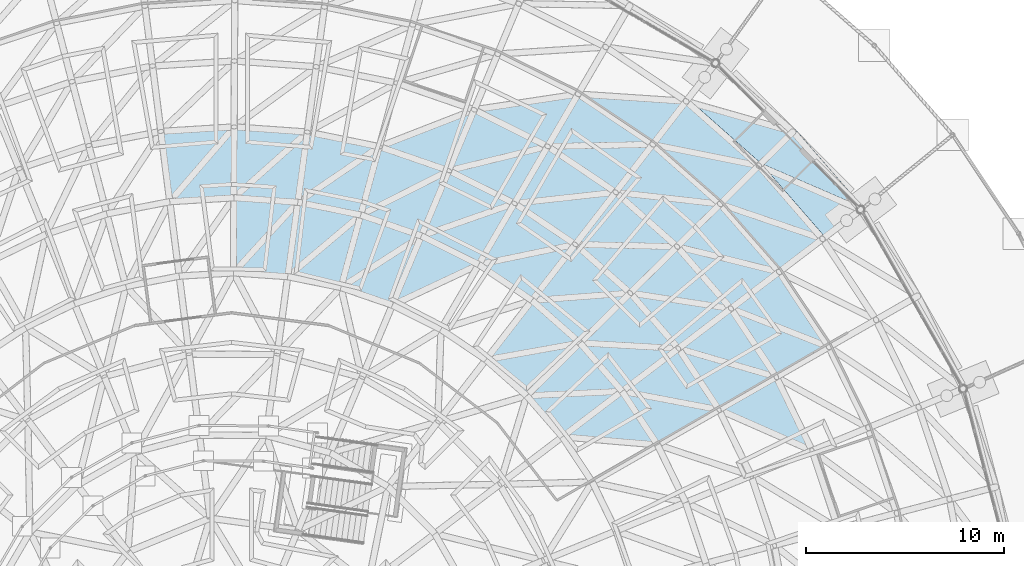
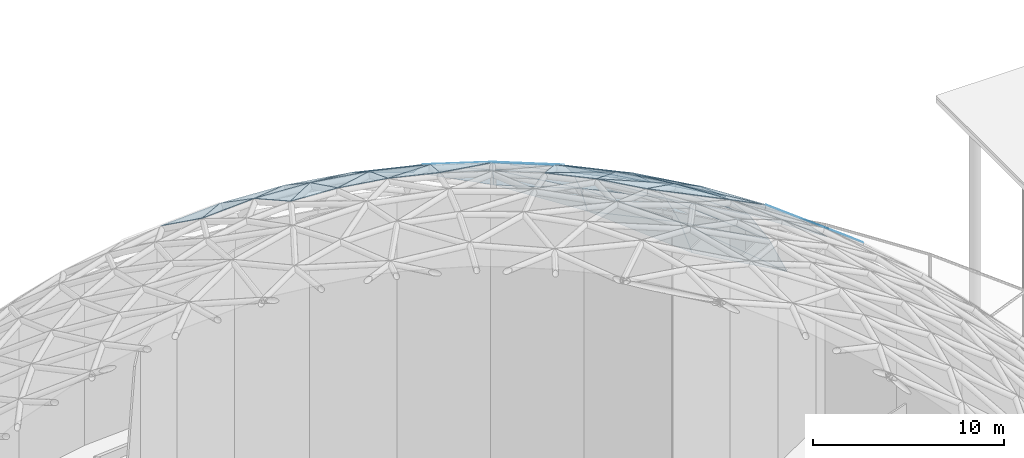
# One storey, part 152 of 226: 59 plates.
"""IFC4 building model written with IfcOpenShell, lengths in metres."""

from ifc_helpers import new_model, si_unit, direction, frame, origin, place, context, subcontext, project, spatial, polyline, outline, extrude, material, layer, layer_set, type_object, element, save


model = new_model("IFC4")

# Units and contexts
model_context = context("Model", 3, precision=1e-05, world=origin(), true_north=direction((0.0, 1.0)))
body_context = subcontext(model_context, "Body", "Model", "MODEL_VIEW")
ifc_project = project(units=[si_unit("LENGTHUNIT", "METRE"), si_unit("AREAUNIT", "SQUARE_METRE"), si_unit("VOLUMEUNIT", "CUBIC_METRE"), si_unit("PLANEANGLEUNIT", "RADIAN"), si_unit("MASSUNIT", "GRAM", prefix="KILO")], contexts=[model_context])

# Site, building, storey
site_placement = place(None, origin())
site = spatial("IfcSite", under=ifc_project, at=site_placement, CompositionType="ELEMENT")
building_placement = place(site_placement, origin())
building = spatial("IfcBuilding", under=site, at=building_placement, Name="Ceibo Conservatory and Research Tower", CompositionType="ELEMENT")
storey_placement = place(building_placement, origin())
storey = spatial("IfcBuildingStorey", under=building, at=storey_placement, Name="L00", CompositionType="ELEMENT", Elevation=0.0)

# Plates
ifc_material = material(Name="Laminated glass", Category="glass")
ifc_layer = layer(ifc_material, 0.035888671875)
ifc_layer_set = layer_set([ifc_layer], Name="Laminated glass")
plate_type = type_object("IfcPlateType", Name="Gridshell roof glass 36", PredefinedType="SHEET", material=ifc_layer_set)
plate_1_placement = place(storey_placement, frame((187.973388671875, 132.3134765625, 4.601806640625), z_axis=(0.626371647012, 0.544575423436, 0.557759955545), x_axis=(-0.656113143191, 0.75466253606, 0.0)))
element("IfcPlate", 1, at=plate_1_placement, inside=storey, type_object=plate_type, Name="Glass panel A-P01-009", PredefinedType="SHEET", context=body_context, shape_type="SweptSolid", body=[
    extrude(outline(polyline([(0.0, 0.0), (5.25444399552769, 2.220446049250313e-16), (5.093855868540828, 4.374811345423591), (0.0, 0.0)])), origin(), (0.0, 0.0, -1.0), 0.035888671875),
])
plate_2_placement = place(storey_placement, frame((187.973388671875, 132.3134765625, 4.601806640625), z_axis=(0.626368621684, 0.544596939449, 0.557742344916), x_axis=(-0.77198428106, 0.334070816427, 0.540774407131)))
element("IfcPlate", 2, at=plate_2_placement, inside=storey, type_object=plate_type, Name="Glass panel A-P01-010", PredefinedType="SHEET", context=body_context, shape_type="SweptSolid", body=[
    extrude(outline(polyline([(0.0, 0.0), (6.7146363950339705, -4.440892098500626e-16), (2.9716125697932965, 3.2145820078568876), (0.0, 0.0)])), origin(), (0.0, 0.0, -1.0), 0.035888671875),
])
plate_3_placement = place(storey_placement, frame((184.52587890625, 136.27880859375, 4.601806640625), z_axis=(0.549990034945, 0.621608240048, 0.557776081745), x_axis=(-0.808957984747, 0.23049193929, 0.540796121321)))
element("IfcPlate", 3, at=plate_3_placement, inside=storey, type_object=plate_type, Name="Glass panel A-P01-012", PredefinedType="SHEET", context=body_context, shape_type="SweptSolid", body=[
    extrude(outline(polyline([(0.0, 0.0), (6.714366787164462, -4.440892098500626e-16), (2.971159863817821, 3.2151161593656585), (0.0, 0.0)])), origin(), (0.0, 0.0, -1.0), 0.035888671875),
])
plate_4_placement = place(storey_placement, frame((186.027099609375, 130.833251953125, 8.23291015625), z_axis=(0.584554362322, 0.508241482158, 0.632445091138), x_axis=(-0.656129711035, 0.754648131448, 0.0)))
element("IfcPlate", 4, at=plate_4_placement, inside=storey, type_object=plate_type, Name="Glass panel A-P02-009", PredefinedType="SHEET", context=body_context, shape_type="SweptSolid", body=[
    extrude(outline(polyline([(0.0, 0.0), (4.933940093024697, 0.0), (4.7529268761876, 4.372817348937347), (0.0, 0.0)])), origin(), (0.0, 0.0, -1.0), 0.035888671875),
])
plate_5_placement = place(storey_placement, frame((186.027099609375, 130.833251953125, 8.23291015625), z_axis=(0.584559010355, 0.508200679396, 0.632473582749), x_axis=(-0.806006025814, 0.274401920148, 0.524459600513)))
element("IfcPlate", 5, at=plate_5_placement, inside=storey, type_object=plate_type, Name="Glass panel A-P02-010", PredefinedType="SHEET", context=body_context, shape_type="SweptSolid", body=[
    extrude(outline(polyline([(0.0, 0.0), (6.458470829658818, 2.220446049250313e-16), (3.094106091212218, 3.095475432306432), (0.0, 0.0)])), origin(), (0.0, 0.0, -1.0), 0.035888671875),
])
plate_6_placement = place(storey_placement, frame((182.789794921875, 134.556640625, 8.23291015625), z_axis=(0.51328925119, 0.580128380143, 0.632443837163), x_axis=(-0.748933286004, 0.662645405262, 0.0)))
element("IfcPlate", 6, at=plate_6_placement, inside=storey, type_object=plate_type, Name="Glass panel A-P02-011", PredefinedType="SHEET", context=body_context, shape_type="SweptSolid", body=[
    extrude(outline(polyline([(0.0, 0.0), (4.934427017314615, 0.0), (4.753419390065305, 4.372811569164403), (0.0, 0.0)])), origin(), (0.0, 0.0, -1.0), 0.035888671875),
])
plate_7_placement = place(storey_placement, frame((182.789794921875, 134.556640625, 8.23291015625), z_axis=(0.513289222372, 0.580128495809, 0.632443754453), x_axis=(-0.834915711577, 0.166998262122, 0.524430486347)))
element("IfcPlate", 7, at=plate_7_placement, inside=storey, type_object=plate_type, Name="Glass panel A-P02-012", PredefinedType="SHEET", context=body_context, shape_type="SweptSolid", body=[
    extrude(outline(polyline([(0.0, 0.0), (6.458829376695661, 4.440892098500626e-16), (3.093844952009283, 3.0955485402047636), (0.0, 0.0)])), origin(), (0.0, 0.0, -1.0), 0.035888671875),
])
plate_8_placement = place(storey_placement, frame((179.09423828125, 137.826416015625, 8.23291015625), z_axis=(0.433201588051, 0.642149374648, 0.632440166932), x_axis=(-0.849552927366, 0.056588979811, 0.524459255775)))
element("IfcPlate", 8, at=plate_8_placement, inside=storey, type_object=plate_type, Name="Glass panel A-P02-014", PredefinedType="SHEET", context=body_context, shape_type="SweptSolid", body=[
    extrude(outline(polyline([(0.0, 0.0), (6.458475074955934, 0.0), (3.094166020248231, 3.095219123047945), (0.0, 0.0)])), origin(), (0.0, 0.0, -1.0), 0.035888671875),
])
plate_9_placement = place(storey_placement, frame((186.344482421875, 125.34326171875, 11.6201171875), z_axis=(0.594027021184, 0.393228083192, 0.701785987814), x_axis=(-0.551985960357, 0.833853404123, 0.0)))
element("IfcPlate", 9, at=plate_9_placement, inside=storey, type_object=plate_type, Name="Glass panel A-P03-007", PredefinedType="SHEET", context=body_context, shape_type="SweptSolid", body=[
    extrude(outline(polyline([(0.0, 0.0), (4.571561020077669, 2.220446049250313e-16), (4.37128869689279, 4.372604474401962), (0.0, 0.0)])), origin(), (0.0, 0.0, -1.0), 0.035888671875),
])
plate_10_placement = place(storey_placement, frame((186.344482421875, 125.34326171875, 11.6201171875), z_axis=(0.594024605118, 0.393138862149, 0.701838018052), x_axis=(-0.804105977108, 0.315577242636, 0.503810064915)))
element("IfcPlate", 10, at=plate_10_placement, inside=storey, type_object=plate_type, Name="Glass panel A-P03-008", PredefinedType="SHEET", context=body_context, shape_type="SweptSolid", body=[
    extrude(outline(polyline([(0.0, 0.0), (6.182866225396012, -2.220446049250313e-16), (3.234773136941577, 2.949405067949826), (0.0, 0.0)])), origin(), (0.0, 0.0, -1.0), 0.035888671875),
])
plate_11_placement = place(storey_placement, frame((183.821044921875, 129.1552734375, 11.6201171875), z_axis=(0.537681449836, 0.467446525098, 0.701706779699), x_axis=(-0.656096739875, 0.754676796997, 0.0)))
element("IfcPlate", 11, at=plate_11_placement, inside=storey, type_object=plate_type, Name="Glass panel A-P03-009", PredefinedType="SHEET", context=body_context, shape_type="SweptSolid", body=[
    extrude(outline(polyline([(0.0, 0.0), (4.571752207339714, -2.220446049250313e-16), (4.371737798924635, 4.3721256395802985), (0.0, 0.0)])), origin(), (0.0, 0.0, -1.0), 0.035888671875),
])
plate_12_placement = place(storey_placement, frame((183.821044921875, 129.1552734375, 11.6201171875), z_axis=(0.537693821888, 0.467327715494, 0.701776431804), x_axis=(-0.83838324185, 0.208055826173, 0.503811783288)))
element("IfcPlate", 12, at=plate_12_placement, inside=storey, type_object=plate_type, Name="Glass panel A-P03-010", PredefinedType="SHEET", context=body_context, shape_type="SweptSolid", body=[
    extrude(outline(polyline([(0.0, 0.0), (6.182845137218127, -2.220446049250313e-16), (3.2347754358287153, 2.948899247643614), (0.0, 0.0)])), origin(), (0.0, 0.0, -1.0), 0.035888671875),
])
plate_13_placement = place(storey_placement, frame((180.821533203125, 132.60546875, 11.6201171875), z_axis=(0.472126503755, 0.533605668145, 0.701684797737), x_axis=(-0.748933370034, 0.66264531029, 0.0)))
element("IfcPlate", 13, at=plate_13_placement, inside=storey, type_object=plate_type, Name="Glass panel A-P03-011", PredefinedType="SHEET", context=body_context, shape_type="SweptSolid", body=[
    extrude(outline(polyline([(0.0, 0.0), (4.57225775117127, 2.220446049250313e-16), (4.370635782508655, 4.371992790043444), (0.0, 0.0)])), origin(), (0.0, 0.0, -1.0), 0.035888671875),
])
plate_14_placement = place(storey_placement, frame((180.821533203125, 132.60546875, 11.6201171875), z_axis=(0.472129738311, 0.533592142601, 0.701692906874), x_axis=(-0.858326812798, 0.096835250988, 0.50388293938)))
element("IfcPlate", 14, at=plate_14_placement, inside=storey, type_object=plate_type, Name="Glass panel A-P03-012", PredefinedType="SHEET", context=body_context, shape_type="SweptSolid", body=[
    extrude(outline(polyline([(0.0, 0.0), (6.1819720235161935, -6.661338147750939e-16), (3.2347127102858355, 2.9482405013438653), (0.0, 0.0)])), origin(), (0.0, 0.0, -1.0), 0.035888671875),
])
plate_15_placement = place(storey_placement, frame((177.397216796875, 135.63525390625, 11.6201171875), z_axis=(0.398417911244, 0.590588353346, 0.701761045436), x_axis=(-0.828997851554, 0.559251787765, 0.0)))
element("IfcPlate", 15, at=plate_15_placement, inside=storey, type_object=plate_type, Name="Glass panel A-P03-013", PredefinedType="SHEET", context=body_context, shape_type="SweptSolid", body=[
    extrude(outline(polyline([(0.0, 0.0), (4.571537688269663, 2.220446049250313e-16), (4.370744027312472, 4.372453668072071), (0.0, 0.0)])), origin(), (0.0, 0.0, -1.0), 0.035888671875),
])
plate_16_placement = place(storey_placement, frame((177.397216796875, 135.63525390625, 11.6201171875), z_axis=(0.398374823994, 0.590700895969, 0.701690780265), x_axis=(-0.863641545915, -0.016072341527, 0.503850136457)))
element("IfcPlate", 16, at=plate_16_placement, inside=storey, type_object=plate_type, Name="Glass panel A-P03-014", PredefinedType="SHEET", context=body_context, shape_type="SweptSolid", body=[
    extrude(outline(polyline([(0.0, 0.0), (6.182374497854732, 4.440892098500626e-16), (3.2337942636454544, 2.949160394901064), (0.0, 0.0)])), origin(), (0.0, 0.0, -1.0), 0.035888671875),
])
plate_17_placement = place(storey_placement, frame((173.607421875, 138.19189453125, 11.6201171875), z_axis=(0.317770540175, 0.637627010113, 0.701750439808), x_axis=(-0.85415137095, -0.128807811568, 0.503819395402)))
element("IfcPlate", 17, at=plate_17_placement, inside=storey, type_object=plate_type, Name="Glass panel A-P03-016", PredefinedType="SHEET", context=body_context, shape_type="SweptSolid", body=[
    extrude(outline(polyline([(0.0, 0.0), (6.182751721750283, -2.220446049250313e-16), (3.235066064309141, 2.948392228532843), (0.0, 0.0)])), origin(), (0.0, 0.0, -1.0), 0.035888671875),
])
plate_18_placement = place(storey_placement, frame((185.501953125, 120.0693359375, 14.735107421875), z_axis=(0.578859237962, 0.282302296768, 0.765001565923), x_axis=(-0.438338260482, 0.898810085278, 0.0)))
element("IfcPlate", 18, at=plate_18_placement, inside=storey, type_object=plate_type, Name="Glass panel A-P04-005", PredefinedType="SHEET", context=body_context, shape_type="SweptSolid", body=[
    extrude(outline(polyline([(0.0, 0.0), (4.169466559322997, 0.0), (3.95052041042427, 4.371971400995099), (0.0, 0.0)])), origin(), (0.0, 0.0, -1.0), 0.035888671875),
])
plate_19_placement = place(storey_placement, frame((183.67431640625, 123.81689453125, 14.735107421875), z_axis=(0.537006397642, 0.355402928291, 0.765057440624), x_axis=(-0.551900429961, 0.833910016374, 0.0)))
element("IfcPlate", 19, at=plate_19_placement, inside=storey, type_object=plate_type, Name="Glass panel A-P04-007", PredefinedType="SHEET", context=body_context, shape_type="SweptSolid", body=[
    extrude(outline(polyline([(0.0, 0.0), (4.170161041619487, 0.0), (3.9502943016100325, 4.37242203896505), (0.0, 0.0)])), origin(), (0.0, 0.0, -1.0), 0.035888671875),
])
plate_20_placement = place(storey_placement, frame((183.67431640625, 123.81689453125, 14.735107421875), z_axis=(0.53700902409, 0.355533521207, 0.764994917202), x_axis=(-0.843382338736, 0.245731020389, 0.47783103324)))
element("IfcPlate", 20, at=plate_20_placement, inside=storey, type_object=plate_type, Name="Glass panel A-P04-008", PredefinedType="SHEET", context=body_context, shape_type="SweptSolid", body=[
    extrude(outline(polyline([(0.0, 0.0), (5.892613983298073, 0.0), (3.3911789072796203, 2.768027631014263), (0.0, 0.0)])), origin(), (0.0, 0.0, -1.0), 0.035888671875),
])
plate_21_placement = place(storey_placement, frame((181.372802734375, 127.29443359375, 14.735107421875), z_axis=(0.486112916416, 0.422497022382, 0.764977449715), x_axis=(-0.655993150499, 0.754766842474, 0.0)))
element("IfcPlate", 21, at=plate_21_placement, inside=storey, type_object=plate_type, Name="Glass panel A-P04-009", PredefinedType="SHEET", context=body_context, shape_type="SweptSolid", body=[
    extrude(outline(polyline([(0.0, 0.0), (4.169786773565685, -4.440892098500626e-16), (3.9498270400957947, 4.371776953306844), (0.0, 0.0)])), origin(), (0.0, 0.0, -1.0), 0.035888671875),
])
plate_22_placement = place(storey_placement, frame((181.372802734375, 127.29443359375, 14.735107421875), z_axis=(0.486134532114, 0.422302514767, 0.765071109576), x_axis=(-0.868192268699, 0.133634978358, 0.477895257489)))
element("IfcPlate", 22, at=plate_22_placement, inside=storey, type_object=plate_type, Name="Glass panel A-P04-010", PredefinedType="SHEET", context=body_context, shape_type="SweptSolid", body=[
    extrude(outline(polyline([(0.0, 0.0), (5.891822076076023, 0.0), (3.390901302280932, 2.769152258070897), (0.0, 0.0)])), origin(), (0.0, 0.0, -1.0), 0.035888671875),
])
plate_23_placement = place(storey_placement, frame((178.637451171875, 130.441650390625, 14.735107421875), z_axis=(0.42674863538, 0.482303274348, 0.765028858119), x_axis=(-0.748922781162, 0.662657277827, 0.0)))
element("IfcPlate", 23, at=plate_23_placement, inside=storey, type_object=plate_type, Name="Glass panel A-P04-011", PredefinedType="SHEET", context=body_context, shape_type="SweptSolid", body=[
    extrude(outline(polyline([(0.0, 0.0), (4.168747955104435, -2.220446049250313e-16), (3.949765794562444, 4.372191495188925), (0.0, 0.0)])), origin(), (0.0, 0.0, -1.0), 0.035888671875),
])
plate_24_placement = place(storey_placement, frame((178.637451171875, 130.441650390625, 14.735107421875), z_axis=(0.426726001713, 0.4823950762, 0.764983601079), x_axis=(-0.878221778533, 0.019060250914, 0.47787363868)))
element("IfcPlate", 24, at=plate_24_placement, inside=storey, type_object=plate_type, Name="Glass panel A-P04-012", PredefinedType="SHEET", context=body_context, shape_type="SweptSolid", body=[
    extrude(outline(polyline([(0.0, 0.0), (5.892088619708453, 0.0), (3.3906216276125063, 2.7684835184951595), (0.0, 0.0)])), origin(), (0.0, 0.0, -1.0), 0.035888671875),
])
plate_25_placement = place(storey_placement, frame((175.515380859375, 133.2041015625, 14.735107421875), z_axis=(0.360071574488, 0.533905731117, 0.765044529113), x_axis=(-0.829075284435, 0.559136989242, 0.0)))
element("IfcPlate", 25, at=plate_25_placement, inside=storey, type_object=plate_type, Name="Glass panel A-P04-013", PredefinedType="SHEET", context=body_context, shape_type="SweptSolid", body=[
    extrude(outline(polyline([(0.0, 0.0), (4.1703324127007715, 2.220446049250313e-16), (3.950406732332311, 4.372317890358894), (0.0, 0.0)])), origin(), (0.0, 0.0, -1.0), 0.035888671875),
])
plate_26_placement = place(storey_placement, frame((175.515380859375, 133.2041015625, 14.735107421875), z_axis=(0.360054480753, 0.533949457645, 0.765022056917), x_axis=(-0.873213397661, -0.095789968466, 0.477831187855)))
element("IfcPlate", 26, at=plate_26_placement, inside=storey, type_object=plate_type, Name="Glass panel A-P04-014", PredefinedType="SHEET", context=body_context, shape_type="SweptSolid", body=[
    extrude(outline(polyline([(0.0, 0.0), (5.892612076592934, 0.0), (3.39153618929774, 2.7679403775951843), (0.0, 0.0)])), origin(), (0.0, 0.0, -1.0), 0.035888671875),
])
plate_27_placement = place(storey_placement, frame((172.057861328125, 135.535888671875, 14.735107421875), z_axis=(0.287285678344, 0.576457175766, 0.764960171203), x_axis=(-0.895012011774, 0.446042037011, 0.0)))
element("IfcPlate", 27, at=plate_27_placement, inside=storey, type_object=plate_type, Name="Glass panel A-P04-015", PredefinedType="SHEET", context=body_context, shape_type="SweptSolid", body=[
    extrude(outline(polyline([(0.0, 0.0), (4.169156685512921, 2.220446049250313e-16), (3.949928547307043, 4.371637657318493), (0.0, 0.0)])), origin(), (0.0, 0.0, -1.0), 0.035888671875),
])
plate_28_placement = place(storey_placement, frame((172.057861328125, 135.535888671875, 14.735107421875), z_axis=(0.287382364975, 0.576281704311, 0.765056059107), x_axis=(-0.853197114139, -0.208969064915, 0.47789812129)))
element("IfcPlate", 28, at=plate_28_placement, inside=storey, type_object=plate_type, Name="Glass panel A-P04-016", PredefinedType="SHEET", context=body_context, shape_type="SweptSolid", body=[
    extrude(outline(polyline([(0.0, 0.0), (5.891786769369395, -2.220446049250313e-16), (3.391016576437981, 2.7688513173445806), (0.0, 0.0)])), origin(), (0.0, 0.0, -1.0), 0.035888671875),
])
plate_29_placement = place(storey_placement, frame((168.326416015625, 137.3955078125, 14.735107421875), z_axis=(0.209692846517, 0.608981395128, 0.764964424342), x_axis=(-0.818729426979, -0.318334928516, 0.477854579015)))
element("IfcPlate", 29, at=plate_29_placement, inside=storey, type_object=plate_type, Name="Glass panel A-P04-018", PredefinedType="SHEET", context=body_context, shape_type="SweptSolid", body=[
    extrude(outline(polyline([(0.0, 0.0), (5.8923236310230545, 2.220446049250313e-16), (3.3899891099477335, 2.768980068166276), (0.0, 0.0)])), origin(), (0.0, 0.0, -1.0), 0.035888671875),
])
plate_30_placement = place(storey_placement, frame((180.76416015625, 122.154052734375, 17.55078125), z_axis=(0.475431162422, 0.314765129979, 0.821515747108), x_axis=(-0.552039554655, 0.833817923828, 0.0)))
element("IfcPlate", 30, at=plate_30_placement, inside=storey, type_object=plate_type, Name="Glass panel A-P05-007", PredefinedType="SHEET", context=body_context, shape_type="SweptSolid", body=[
    extrude(outline(polyline([(0.0, 0.0), (3.730838297969221, 0.0), (3.4965291059106676, 4.369549294933934), (0.0, 0.0)])), origin(), (0.0, 0.0, -1.0), 0.035888671875),
])
plate_31_placement = place(storey_placement, frame((180.76416015625, 122.154052734375, 17.55078125), z_axis=(0.475431717378, 0.31459254418, 0.821581531716), x_axis=(-0.879747643429, 0.16686674284, 0.445196107368)))
element("IfcPlate", 31, at=plate_31_placement, inside=storey, type_object=plate_type, Name="Glass panel A-P05-008", PredefinedType="SHEET", context=body_context, shape_type="SweptSolid", body=[
    extrude(outline(polyline([(0.0, 0.0), (5.596309214950338, -2.220446049250313e-16), (3.55961441177119, 2.5463052917352464), (0.0, 0.0)])), origin(), (0.0, 0.0, -1.0), 0.035888671875),
])
plate_32_placement = place(storey_placement, frame((178.70458984375, 125.264892578125, 17.55078125), z_axis=(0.430345497289, 0.37383887323, 0.821612591083), x_axis=(-0.655804436885, 0.754930818395, 0.0)))
element("IfcPlate", 32, at=plate_32_placement, inside=storey, type_object=plate_type, Name="Glass panel A-P05-009", PredefinedType="SHEET", context=body_context, shape_type="SweptSolid", body=[
    extrude(outline(polyline([(0.0, 0.0), (3.731328040413893, 0.0), (3.4945821449068966, 4.370619032784091), (0.0, 0.0)])), origin(), (0.0, 0.0, -1.0), 0.035888671875),
])
plate_33_placement = place(storey_placement, frame((178.70458984375, 125.264892578125, 17.55078125), z_axis=(0.430308562674, 0.374112664244, 0.821507306931), x_axis=(-0.893986690713, 0.050608782452, 0.445226400797)))
element("IfcPlate", 33, at=plate_33_placement, inside=storey, type_object=plate_type, Name="Glass panel A-P05-010", PredefinedType="SHEET", context=body_context, shape_type="SweptSolid", body=[
    extrude(outline(polyline([(0.0, 0.0), (5.595928439252654, 0.0), (3.559258005144204, 2.54549490102763), (0.0, 0.0)])), origin(), (0.0, 0.0, -1.0), 0.035888671875),
])
plate_34_placement = place(storey_placement, frame((176.257568359375, 128.081787109375, 17.55078125), z_axis=(0.377667953538, 0.426937098968, 0.821639598848), x_axis=(-0.749002807027, 0.662566823094, 0.0)))
element("IfcPlate", 34, at=plate_34_placement, inside=storey, type_object=plate_type, Name="Glass panel A-P05-011", PredefinedType="SHEET", context=body_context, shape_type="SweptSolid", body=[
    extrude(outline(polyline([(0.0, 0.0), (3.7311979449936565, 2.220446049250313e-16), (3.496059137238818, 4.370917523003129), (0.0, 0.0)])), origin(), (0.0, 0.0, -1.0), 0.035888671875),
])
plate_35_placement = place(storey_placement, frame((176.257568359375, 128.081787109375, 17.55078125), z_axis=(0.37765267275, 0.426993370049, 0.821617380962), x_axis=(-0.89297335194, -0.066737457428, 0.44513447912)))
element("IfcPlate", 35, at=plate_35_placement, inside=storey, type_object=plate_type, Name="Glass panel A-P05-012", PredefinedType="SHEET", context=body_context, shape_type="SweptSolid", body=[
    extrude(outline(polyline([(0.0, 0.0), (5.597084016161167, -2.220446049250313e-16), (3.5602645851353354, 2.5461491379345937), (0.0, 0.0)])), origin(), (0.0, 0.0, -1.0), 0.035888671875),
])
plate_36_placement = place(storey_placement, frame((173.462890625, 130.553955078125, 17.55078125), z_axis=(0.318754400995, 0.472702739811, 0.821552038292), x_axis=(-0.829108814553, 0.55908726835, 0.0)))
element("IfcPlate", 36, at=plate_36_placement, inside=storey, type_object=plate_type, Name="Glass panel A-P05-013", PredefinedType="SHEET", context=body_context, shape_type="SweptSolid", body=[
    extrude(outline(polyline([(0.0, 0.0), (3.7305327404984956, 0.0), (3.4956994673408075, 4.369950060293001), (0.0, 0.0)])), origin(), (0.0, 0.0, -1.0), 0.035888671875),
])
plate_37_placement = place(storey_placement, frame((173.462890625, 130.553955078125, 17.55078125), z_axis=(0.318845757751, 0.472484247796, 0.821642269086), x_axis=(-0.876595165131, -0.182665801842, 0.445212445138)))
element("IfcPlate", 37, at=plate_37_placement, inside=storey, type_object=plate_type, Name="Glass panel A-P05-014", PredefinedType="SHEET", context=body_context, shape_type="SweptSolid", body=[
    extrude(outline(polyline([(0.0, 0.0), (5.596103849592286, -2.220446049250313e-16), (3.560502186087077, 2.5461803617727696), (0.0, 0.0)])), origin(), (0.0, 0.0, -1.0), 0.035888671875),
])
plate_38_placement = place(storey_placement, frame((170.369873046875, 132.6396484375, 17.55078125), z_axis=(0.254426703486, 0.510196421829, 0.821563548185), x_axis=(-0.894897831278, 0.446271074095, 0.0)))
element("IfcPlate", 38, at=plate_38_placement, inside=storey, type_object=plate_type, Name="Glass panel A-P05-015", PredefinedType="SHEET", context=body_context, shape_type="SweptSolid", body=[
    extrude(outline(polyline([(0.0, 0.0), (3.731003775851083, 0.0), (3.4958935803363858, 4.370077191346767), (0.0, 0.0)])), origin(), (0.0, 0.0, -1.0), 0.035888671875),
])
plate_39_placement = place(storey_placement, frame((170.369873046875, 132.6396484375, 17.55078125), z_axis=(0.254409059279, 0.510226759322, 0.821550171705), x_axis=(-0.845324996927, -0.295342428095, 0.445194900843)))
element("IfcPlate", 39, at=plate_39_placement, inside=storey, type_object=plate_type, Name="Glass panel A-P05-016", PredefinedType="SHEET", context=body_context, shape_type="SweptSolid", body=[
    extrude(outline(polyline([(0.0, 0.0), (5.596324381535295, 2.220446049250313e-16), (3.5592323852402186, 2.5462668798643193), (0.0, 0.0)])), origin(), (0.0, 0.0, -1.0), 0.035888671875),
])
plate_40_placement = place(storey_placement, frame((167.031005859375, 134.3046875, 17.55078125), z_axis=(0.185617252965, 0.539062040255, 0.821558489797), x_axis=(-0.945516789893, 0.32557334048, 0.0)))
element("IfcPlate", 40, at=plate_40_placement, inside=storey, type_object=plate_type, Name="Glass panel A-P05-017", PredefinedType="SHEET", context=body_context, shape_type="SweptSolid", body=[
    extrude(outline(polyline([(0.0, 0.0), (3.7321479972352876, 0.0), (3.4962116485441794, 4.370021317980223), (0.0, 0.0)])), origin(), (0.0, 0.0, -1.0), 0.035888671875),
])
plate_41_placement = place(storey_placement, frame((167.031005859375, 134.3046875, 17.55078125), z_axis=(0.185620139564, 0.53905830319, 0.821560289662), x_axis=(-0.799540035238, -0.403172686909, 0.445182565452)))
element("IfcPlate", 41, at=plate_41_placement, inside=storey, type_object=plate_type, Name="Glass panel A-P05-018", PredefinedType="SHEET", context=body_context, shape_type="SweptSolid", body=[
    extrude(outline(polyline([(0.0, 0.0), (5.596479447922382, 0.0), (3.5596637295951297, 2.5459076170531194), (0.0, 0.0)])), origin(), (0.0, 0.0, -1.0), 0.035888671875),
])
plate_42_placement = place(storey_placement, frame((163.502197265625, 135.519775390625, 17.55078125), z_axis=(0.113687751386, 0.55859178634, 0.821614454241), x_axis=(-0.979910661616, 0.199436945553, 0.0)))
element("IfcPlate", 42, at=plate_42_placement, inside=storey, type_object=plate_type, Name="Glass panel A-P05-019", PredefinedType="SHEET", context=body_context, shape_type="SweptSolid", body=[
    extrude(outline(polyline([(0.0, 0.0), (3.7312074898449956, 0.0), (3.4951544007870523, 4.370639622162836), (0.0, 0.0)])), origin(), (0.0, 0.0, -1.0), 0.035888671875),
])
plate_43_placement = place(storey_placement, frame((163.502197265625, 135.519775390625, 17.55078125), z_axis=(0.113590330853, 0.558688557011, 0.821562129727), x_axis=(-0.739973173866, -0.504221786555, 0.445196689029)))
element("IfcPlate", 43, at=plate_43_placement, inside=storey, type_object=plate_type, Name="Glass panel A-P05-020", PredefinedType="SHEET", context=body_context, shape_type="SweptSolid", body=[
    extrude(outline(polyline([(0.0, 0.0), (5.5963019032358154, 3.3306690738754696e-16), (3.5594281909466803, 2.5462174364592935), (0.0, 0.0)])), origin(), (0.0, 0.0, -1.0), 0.035888671875),
])
plate_44_placement = place(storey_placement, frame((159.845947265625, 136.263916015625, 17.55078125), z_axis=(0.039736306403, 0.568732881221, 0.821561887974), x_axis=(-0.997568121673, 0.069698225387, 0.0)))
element("IfcPlate", 44, at=plate_44_placement, inside=storey, type_object=plate_type, Name="Glass panel A-P05-021", PredefinedType="SHEET", context=body_context, shape_type="SweptSolid", body=[
    extrude(outline(polyline([(0.0, 0.0), (3.730507687670031, 0.0), (3.4958145110330494, 4.370058852904279), (0.0, 0.0)])), origin(), (0.0, 0.0, -1.0), 0.035888671875),
])
plate_45_placement = place(storey_placement, frame((159.845947265625, 136.263916015625, 17.55078125), z_axis=(0.03986382489, 0.568635694864, 0.821622980443), x_axis=(-0.667865392502, -0.596450169592, 0.445199969331)))
element("IfcPlate", 45, at=plate_45_placement, inside=storey, type_object=plate_type, Name="Glass panel A-P05-022", PredefinedType="SHEET", context=body_context, shape_type="SweptSolid", body=[
    extrude(outline(polyline([(0.0, 0.0), (5.596260668821307, -2.220446049250313e-16), (3.559911507223866, 2.546613796477314), (0.0, 0.0)])), origin(), (0.0, 0.0, -1.0), 0.035888671875),
])
plate_46_placement = place(storey_placement, frame((156.12451171875, 136.52392578125, 17.55078125), z_axis=(-0.034840782838, 0.569090988201, 0.821536102067), x_axis=(-0.998131196447, -0.061107402824, 0.0)))
element("IfcPlate", 46, at=plate_46_placement, inside=storey, type_object=plate_type, Name="Glass panel A-P05-023", PredefinedType="SHEET", context=body_context, shape_type="SweptSolid", body=[
    extrude(outline(polyline([(0.0, 0.0), (3.7315829705147348, 0.0), (3.4964130459758476, 4.3697740600050805), (0.0, 0.0)])), origin(), (0.0, 0.0, -1.0), 0.035888671875),
])
plate_47_placement = place(storey_placement, frame((156.12451171875, 136.52392578125, 17.55078125), z_axis=(-0.034792700538, 0.569063433344, 0.821557226747), x_axis=(-0.584393660623, -0.678448059869, 0.4451879148)))
element("IfcPlate", 47, at=plate_47_placement, inside=storey, type_object=plate_type, Name="Glass panel A-P05-024", PredefinedType="SHEET", context=body_context, shape_type="SweptSolid", body=[
    extrude(outline(polyline([(0.0, 0.0), (5.596412201005515, 5.551115123125783e-16), (3.5595707300836565, 2.5459676907884607), (0.0, 0.0)])), origin(), (0.0, 0.0, -1.0), 0.035888671875),
])
plate_48_placement = place(storey_placement, frame((177.64013671875, 120.36865234375, 20.042236328125), z_axis=(0.409429911363, 0.270919235657, 0.871188794368), x_axis=(-0.551828612564, 0.833957542298, 0.0)))
element("IfcPlate", 48, at=plate_48_placement, inside=storey, type_object=plate_type, Name="Glass panel A-P06-007", PredefinedType="SHEET", context=body_context, shape_type="SweptSolid", body=[
    extrude(outline(polyline([(0.0, 0.0), (3.2606435499784197, 0.0), (3.009574685567654, 4.370628465448766), (0.0, 0.0)])), origin(), (0.0, 0.0, -1.0), 0.035888671875),
])
plate_49_placement = place(storey_placement, frame((175.8408203125, 123.087890625, 20.042236328125), z_axis=(0.370543056866, 0.322152200179, 0.871157737111), x_axis=(-0.656110110194, 0.754665172974, 0.0)))
element("IfcPlate", 49, at=plate_49_placement, inside=storey, type_object=plate_type, Name="Glass panel A-P06-009", PredefinedType="SHEET", context=body_context, shape_type="SweptSolid", body=[
    extrude(outline(polyline([(0.0, 0.0), (3.2599955135443306, 2.220446049250313e-16), (3.010650730798408, 4.370137933662338), (0.0, 0.0)])), origin(), (0.0, 0.0, -1.0), 0.035888671875),
])
plate_50_placement = place(storey_placement, frame((175.8408203125, 123.087890625, 20.042236328125), z_axis=(0.370568701303, 0.322007233127, 0.871200424374), x_axis=(-0.913618172511, -0.042554852187, 0.404340103641)))
element("IfcPlate", 50, at=plate_50_placement, inside=storey, type_object=plate_type, Name="Glass panel A-P06-010", PredefinedType="SHEET", context=body_context, shape_type="SweptSolid", body=[
    extrude(outline(polyline([(0.0, 0.0), (5.306799730731464, 0.0), (3.7404738134429705, 2.274705345449151), (0.0, 0.0)])), origin(), (0.0, 0.0, -1.0), 0.035888671875),
])
plate_51_placement = place(storey_placement, frame((173.701904296875, 125.548095703125, 20.042236328125), z_axis=(0.325295062762, 0.367795186242, 0.871154305), x_axis=(-0.749059442524, 0.662502793628, 0.0)))
element("IfcPlate", 51, at=plate_51_placement, inside=storey, type_object=plate_type, Name="Glass panel A-P06-011", PredefinedType="SHEET", context=body_context, shape_type="SweptSolid", body=[
    extrude(outline(polyline([(0.0, 0.0), (3.2605994582606237, 4.440892098500626e-16), (3.0116656615227546, 4.370083736621913), (0.0, 0.0)])), origin(), (0.0, 0.0, -1.0), 0.035888671875),
])
plate_52_placement = place(storey_placement, frame((173.701904296875, 125.548095703125, 20.042236328125), z_axis=(0.325296058454, 0.367792034064, 0.871155264022), x_axis=(-0.90027854069, -0.161370247854, 0.404299631809)))
element("IfcPlate", 52, at=plate_52_placement, inside=storey, type_object=plate_type, Name="Glass panel A-P06-012", PredefinedType="SHEET", context=body_context, shape_type="SweptSolid", body=[
    extrude(outline(polyline([(0.0, 0.0), (5.307330960273972, 2.220446049250313e-16), (3.740252972516818, 2.273936252733628), (0.0, 0.0)])), origin(), (0.0, 0.0, -1.0), 0.035888671875),
])
plate_53_placement = place(storey_placement, frame((168.557373046875, 129.53173828125, 20.042236328125), z_axis=(0.219080061471, 0.439373150127, 0.871180326691), x_axis=(-0.894920786827, 0.44622503886, 0.0)))
element("IfcPlate", 53, at=plate_53_placement, inside=storey, type_object=plate_type, Name="Glass panel A-P06-015", PredefinedType="SHEET", context=body_context, shape_type="SweptSolid", body=[
    extrude(outline(polyline([(0.0, 0.0), (3.2608616690781957, 0.0), (3.011763968177683, 4.3704947051715415), (0.0, 0.0)])), origin(), (0.0, 0.0, -1.0), 0.035888671875),
])
plate_54_placement = place(storey_placement, frame((165.63916015625, 130.98681640625, 20.042236328125), z_axis=(0.159839575411, 0.46418912574, 0.871194447685), x_axis=(-0.94551453646, 0.325579884733, 0.0)))
element("IfcPlate", 54, at=plate_54_placement, inside=storey, type_object=plate_type, Name="Glass panel A-P06-017", PredefinedType="SHEET", context=body_context, shape_type="SweptSolid", body=[
    extrude(outline(polyline([(0.0, 0.0), (3.260408542651373, 0.0), (3.011258690738724, 4.370717776040065), (0.0, 0.0)])), origin(), (0.0, 0.0, -1.0), 0.035888671875),
])
plate_55_placement = place(storey_placement, frame((165.63916015625, 130.98681640625, 20.042236328125), z_axis=(0.159796843866, 0.464240002256, 0.871175176986), x_axis=(-0.770008481152, -0.493605795176, 0.404277451663)))
element("IfcPlate", 55, at=plate_55_placement, inside=storey, type_object=plate_type, Name="Glass panel A-P06-018", PredefinedType="SHEET", context=body_context, shape_type="SweptSolid", body=[
    extrude(outline(polyline([(0.0, 0.0), (5.307622139936312, -2.220446049250313e-16), (3.740847783150219, 2.2736163915283716), (0.0, 0.0)])), origin(), (0.0, 0.0, -1.0), 0.035888671875),
])
plate_56_placement = place(storey_placement, frame((162.556396484375, 132.04833984375, 20.042236328125), z_axis=(0.097821055585, 0.481128138103, 0.871175502301), x_axis=(-0.97995078776, 0.19923968874, 0.0)))
element("IfcPlate", 56, at=plate_56_placement, inside=storey, type_object=plate_type, Name="Glass panel A-P06-019", PredefinedType="SHEET", context=body_context, shape_type="SweptSolid", body=[
    extrude(outline(polyline([(0.0, 0.0), (3.260686699691317, 0.0), (3.0112605617994657, 4.370418502422462), (0.0, 0.0)])), origin(), (0.0, 0.0, -1.0), 0.035888671875),
])
plate_57_placement = place(storey_placement, frame((162.556396484375, 132.04833984375, 20.042236328125), z_axis=(0.097859681902, 0.48109278401, 0.871190688559), x_axis=(-0.698927704777, -0.58995312714, 0.404296143036)))
element("IfcPlate", 57, at=plate_57_placement, inside=storey, type_object=plate_type, Name="Glass panel A-P06-020", PredefinedType="SHEET", context=body_context, shape_type="SweptSolid", body=[
    extrude(outline(polyline([(0.0, 0.0), (5.307376758565894, -6.661338147750939e-16), (3.741199134528241, 2.273472797793244), (0.0, 0.0)])), origin(), (0.0, 0.0, -1.0), 0.035888671875),
])
plate_58_placement = place(storey_placement, frame((159.361083984375, 132.697998046875, 20.042236328125), z_axis=(0.034332917991, 0.489740328046, 0.871192092381), x_axis=(-0.997551712009, 0.069932695265, 0.0)))
element("IfcPlate", 58, at=plate_58_placement, inside=storey, type_object=plate_type, Name="Glass panel A-P06-021", PredefinedType="SHEET", context=body_context, shape_type="SweptSolid", body=[
    extrude(outline(polyline([(0.0, 0.0), (3.2606686026560867, 2.7755575615628914e-17), (3.0098850054879334, 4.370680566432752), (0.0, 0.0)])), origin(), (0.0, 0.0, -1.0), 0.035888671875),
])
plate_59_placement = place(storey_placement, frame((159.361083984375, 132.697998046875, 20.042236328125), z_axis=(0.0342920704, 0.489768899145, 0.87117763937), x_axis=(-0.615962779186, -0.676091493235, 0.404339149023)))
element("IfcPlate", 59, at=plate_59_placement, inside=storey, type_object=plate_type, Name="Glass panel A-P06-022", PredefinedType="SHEET", context=body_context, shape_type="SweptSolid", body=[
    extrude(outline(polyline([(0.0, 0.0), (5.306812259733146, -4.440892098500626e-16), (3.740455873526321, 2.274150642060169), (0.0, 0.0)])), origin(), (0.0, 0.0, -1.0), 0.035888671875),
])

save(model, "model.ifc")
